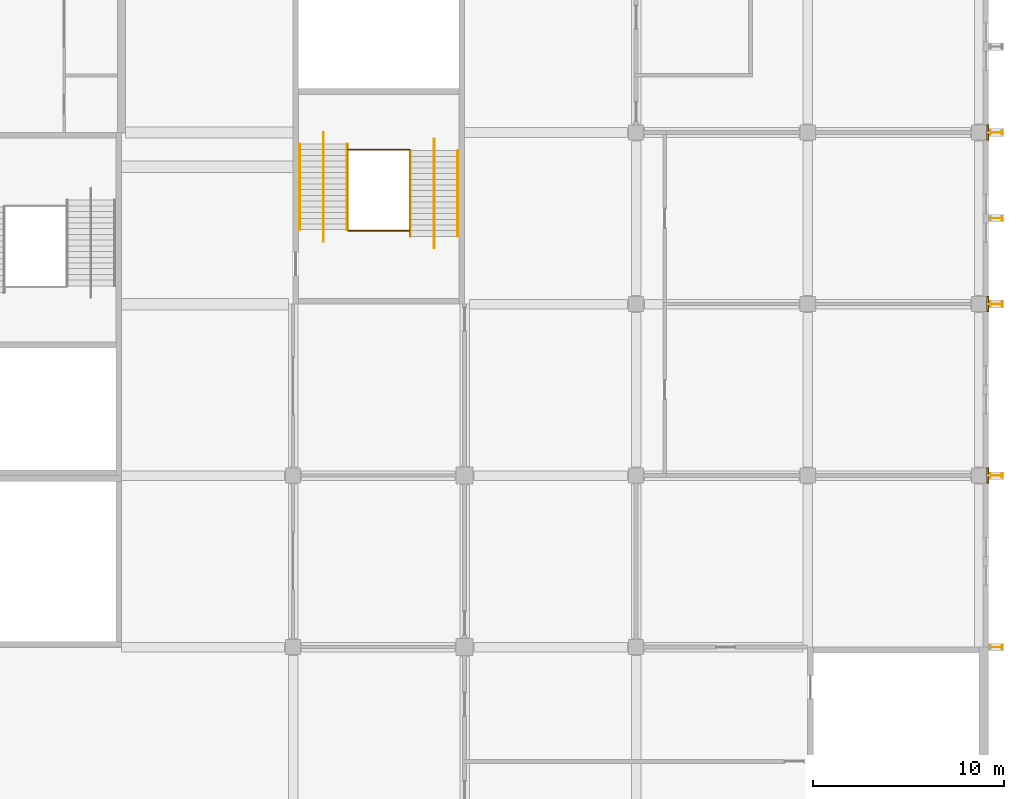
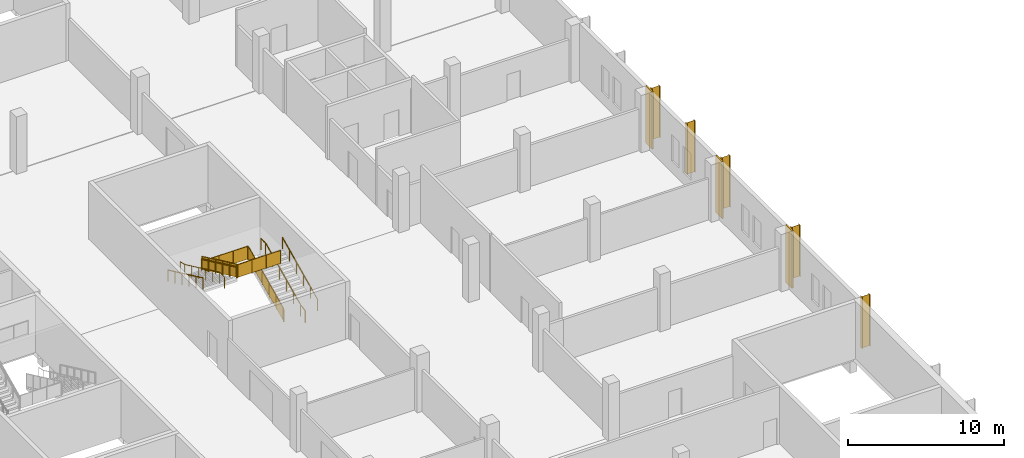
# One storey, part 154 of 168: 10 railings, 5 shading devices, 3 coverings.
"""IFC4 building model written with IfcOpenShell, lengths in metres."""

from ifc_helpers import new_model, si_unit, direction, frame, origin, origin_2d, place, context, subcontext, project, spatial, polyline, circle, i_section, outline, extrude, material, layer, layer_set, material_profile, profile_set, type_object, element, save


model = new_model("IFC4")

# Units and contexts
model_context = context("Model", 3, precision=1e-05, world=origin(), true_north=direction((0.0, 1.0)))
body_context = subcontext(model_context, "Body", "Model", "MODEL_VIEW")
ifc_project = project(units=[si_unit("LENGTHUNIT", "METRE"), si_unit("AREAUNIT", "SQUARE_METRE"), si_unit("VOLUMEUNIT", "CUBIC_METRE"), si_unit("PLANEANGLEUNIT", "RADIAN"), si_unit("MASSUNIT", "GRAM", prefix="KILO")], contexts=[model_context])

# Site, building, storey
site_placement = place(None, origin())
site = spatial("IfcSite", under=ifc_project, at=site_placement, CompositionType="ELEMENT")
building_placement = place(site_placement, origin())
building = spatial("IfcBuilding", under=site, at=building_placement, Name="Silverbay Arena", CompositionType="ELEMENT")
storey_placement = place(building_placement, frame((0.0, 0.0, 7.0)))
storey = spatial("IfcBuildingStorey", under=building, at=storey_placement, Name="L01", CompositionType="ELEMENT", Elevation=7.0)

# Coverings
ifc_material_1 = material(Name="Aluminium composite cladding", Category="aluminium")
ifc_layer = layer(ifc_material_1, 0.10009765625)
ifc_layer_set = layer_set([ifc_layer], Name="Aluminium composite cladding")
covering_type = type_object("IfcCoveringType", Name="Column cladding 100", PredefinedType="CLADDING", material=ifc_layer_set)
covering_1_placement = place(storey_placement, origin())
element("IfcCovering", 1, at=covering_1_placement, inside=storey, type_object=covering_type, Name="East column cladding L01 84", PredefinedType="CLADDING", context=body_context, shape_type="SweptSolid", body=[
    extrude(outline(polyline([(234.39990234375, 44.60009765625), (234.5, 44.60009765625), (234.5, 45.39990234375), (234.39990234375, 45.39990234375), (234.39990234375, 44.60009765625)])), origin(), (0.0, 0.0, 1.0), 4.5),
])
covering_2_placement = place(storey_placement, origin())
element("IfcCovering", 2, at=covering_2_placement, inside=storey, type_object=covering_type, Name="East column cladding L01 85", PredefinedType="CLADDING", context=body_context, shape_type="SweptSolid", body=[
    extrude(outline(polyline([(234.39990234375, 53.60009765625), (234.5, 53.60009765625), (234.5, 54.39990234375), (234.39990234375, 54.39990234375), (234.39990234375, 53.60009765625)])), origin(), (0.0, 0.0, 1.0), 4.5),
])
covering_3_placement = place(storey_placement, origin())
element("IfcCovering", 3, at=covering_3_placement, inside=storey, type_object=covering_type, Name="East column cladding L01 86", PredefinedType="CLADDING", context=body_context, shape_type="SweptSolid", body=[
    extrude(outline(polyline([(234.39990234375, 62.60009765625), (234.5, 62.60009765625), (234.5, 63.39990234375), (234.39990234375, 63.39990234375), (234.39990234375, 62.60009765625)])), origin(), (0.0, 0.0, 1.0), 4.5),
])

# Railings
ifc_material_2 = material(Name="Stainless steel", Category="steel")
railing_type_1 = type_object("IfcRailingType", Name="Stair guard 1100", PredefinedType="GUARDRAIL", material=ifc_material_2)
railing_1_placement = place(storey_placement, frame((204.125, 57.546630859375, 0.140625)))
element("IfcRailing", 4, at=railing_1_placement, inside=storey, type_object=railing_type_1, Name="Stair ST-E1 L01 to L02 flight 1 guard left", PredefinedType="GUARDRAIL", context=body_context, shape_type="SweptSolid", body=[
    extrude(circle(Radius=0.02392578125, at=origin_2d()), frame((0.0, 0.0, 1.076171875), z_axis=(0.0, 0.905458935959, 0.424433876231), x_axis=(-1.0, 0.0, 0.0)), (0.0, 0.0, 1.0), 4.969970703125),
    extrude(outline(polyline([(-0.008056640625, 0.046142578125), (0.907958984375, 0.4755859375), (0.907958984375, 1.478515625), (-0.008056640625, 1.04931640625), (-0.008056640625, 0.046142578125)])), frame((-0.0029296875, 0.0, 0.0), z_axis=(1.0, 0.0, 0.0), x_axis=(0.0, 1.0, 0.0)), (0.0, 0.0, 1.0), 0.006103515625),
    extrude(outline(polyline([(-0.008056640625, 0.468017578125), (0.907958984375, 0.8974609375), (0.907958984375, 1.900390625), (-0.008056640625, 1.47119140625), (-0.008056640625, 0.468017578125)])), frame((-0.0029296875, 0.89990234375, 0.0), z_axis=(1.0, 0.0, 0.0), x_axis=(0.0, 1.0, 0.0)), (0.0, 0.0, 1.0), 0.006103515625),
    extrude(outline(polyline([(-0.008056640625, 0.889892578125), (0.907958984375, 1.3193359375), (0.907958984375, 2.322265625), (-0.008056640625, 1.89306640625), (-0.008056640625, 0.889892578125)])), frame((-0.0029296875, 1.800048828125, 0.0), z_axis=(1.0, 0.0, 0.0), x_axis=(0.0, 1.0, 0.0)), (0.0, 0.0, 1.0), 0.006103515625),
    extrude(outline(polyline([(-0.008056640625, 1.311767578125), (0.907958984375, 1.7412109375), (0.907958984375, 2.744140625), (-0.008056640625, 2.31494140625), (-0.008056640625, 1.311767578125)])), frame((-0.0029296875, 2.699951171875, 0.0), z_axis=(1.0, 0.0, 0.0), x_axis=(0.0, 1.0, 0.0)), (0.0, 0.0, 1.0), 0.006103515625),
    extrude(outline(polyline([(-0.008056640625, 1.733642578125), (0.907958984375, 2.1630859375), (0.907958984375, 3.166015625), (-0.008056640625, 2.73681640625), (-0.008056640625, 1.733642578125)])), frame((-0.0029296875, 3.60009765625, 0.0), z_axis=(1.0, 0.0, 0.0), x_axis=(0.0, 1.0, 0.0)), (0.0, 0.0, 1.0), 0.006103515625),
    extrude(circle(Radius=0.02099609375, at=origin_2d()), origin(), (0.0, 0.0, 1.0), 1.052001953125),
    extrude(circle(Radius=0.02099609375, at=origin_2d()), frame((0.0, 0.89990234375, 0.421875)), (0.0, 0.0, 1.0), 1.052001953125),
    extrude(circle(Radius=0.02099609375, at=origin_2d()), frame((0.0, 1.800048828125, 0.84375)), (0.0, 0.0, 1.0), 1.052001953125),
    extrude(circle(Radius=0.02099609375, at=origin_2d()), frame((0.0, 2.699951171875, 1.265625)), (0.0, 0.0, 1.0), 1.052001953125),
    extrude(circle(Radius=0.02099609375, at=origin_2d()), frame((0.0, 3.60009765625, 1.6875)), (0.0, 0.0, 1.0), 1.052001953125),
    extrude(circle(Radius=0.02099609375, at=origin_2d()), frame((0.0, 4.5, 2.109375)), (0.0, 0.0, 1.0), 1.052001953125),
])
railing_2_placement = place(storey_placement, frame((200.875, 62.39990234375, 2.390625)))
element("IfcRailing", 5, at=railing_2_placement, inside=storey, type_object=railing_type_1, Name="Stair ST-E1 L01 to L02 flight 2 guard right", PredefinedType="GUARDRAIL", context=body_context, shape_type="SweptSolid", body=[
    extrude(circle(Radius=0.02392578125, at=origin_2d()), frame((0.0, 0.0, 1.076171875), z_axis=(0.0, -0.905458935959, 0.424433876231), x_axis=(1.0, 0.0, 0.0)), (0.0, 0.0, 1.0), 4.969970703125),
    extrude(outline(polyline([(-0.008056640625, 0.046142578125), (0.907958984375, 0.4755859375), (0.907958984375, 1.478515625), (-0.008056640625, 1.04931640625), (-0.008056640625, 0.046142578125)])), frame((0.0029296875, 0.0, 0.0), z_axis=(-1.0, 0.0, 0.0), x_axis=(0.0, -1.0, 0.0)), (0.0, 0.0, 1.0), 0.006103515625),
    extrude(outline(polyline([(-0.008056640625, 0.468017578125), (0.907958984375, 0.8974609375), (0.907958984375, 1.900390625), (-0.008056640625, 1.47119140625), (-0.008056640625, 0.468017578125)])), frame((0.0029296875, -0.89990234375, 0.0), z_axis=(-1.0, 0.0, 0.0), x_axis=(0.0, -1.0, 0.0)), (0.0, 0.0, 1.0), 0.006103515625),
    extrude(outline(polyline([(-0.008056640625, 0.889892578125), (0.907958984375, 1.3193359375), (0.907958984375, 2.322265625), (-0.008056640625, 1.89306640625), (-0.008056640625, 0.889892578125)])), frame((0.0029296875, -1.800048828125, 0.0), z_axis=(-1.0, 0.0, 0.0), x_axis=(0.0, -1.0, 0.0)), (0.0, 0.0, 1.0), 0.006103515625),
    extrude(outline(polyline([(-0.008056640625, 1.311767578125), (0.907958984375, 1.7412109375), (0.907958984375, 2.744140625), (-0.008056640625, 2.31494140625), (-0.008056640625, 1.311767578125)])), frame((0.0029296875, -2.699951171875, 0.0), z_axis=(-1.0, 0.0, 0.0), x_axis=(0.0, -1.0, 0.0)), (0.0, 0.0, 1.0), 0.006103515625),
    extrude(outline(polyline([(-0.008056640625, 1.733642578125), (0.907958984375, 2.1630859375), (0.907958984375, 3.166015625), (-0.008056640625, 2.73681640625), (-0.008056640625, 1.733642578125)])), frame((0.0029296875, -3.60009765625, 0.0), z_axis=(-1.0, 0.0, 0.0), x_axis=(0.0, -1.0, 0.0)), (0.0, 0.0, 1.0), 0.006103515625),
    extrude(circle(Radius=0.02099609375, at=origin_2d()), origin(), (0.0, 0.0, 1.0), 1.052001953125),
    extrude(circle(Radius=0.02099609375, at=origin_2d()), frame((0.0, -0.89990234375, 0.421875)), (0.0, 0.0, 1.0), 1.052001953125),
    extrude(circle(Radius=0.02099609375, at=origin_2d()), frame((0.0, -1.800048828125, 0.84375)), (0.0, 0.0, 1.0), 1.052001953125),
    extrude(circle(Radius=0.02099609375, at=origin_2d()), frame((0.0, -2.699951171875, 1.265625)), (0.0, 0.0, 1.0), 1.052001953125),
    extrude(circle(Radius=0.02099609375, at=origin_2d()), frame((0.0, -3.60009765625, 1.6875)), (0.0, 0.0, 1.0), 1.052001953125),
    extrude(circle(Radius=0.02099609375, at=origin_2d()), frame((0.0, -4.5, 2.109375)), (0.0, 0.0, 1.0), 1.052001953125),
])
for number, where, name in (
    (6, (200.89990234375, 62.0966796875, 2.25), "Stair ST-E1 L01 to L02 landing 1 guard"),
    (7, (200.89990234375, 57.85009765625, 4.5), "Stair ST-E1 L01 to L02 landing 2 guard"),
):
    element("IfcRailing", number, at=place(storey_placement, frame(where)), inside=storey, type_object=railing_type_1, Name=name, PredefinedType="GUARDRAIL", context=body_context, shape_type="SweptSolid", body=[
        extrude(circle(Radius=0.02392578125, at=origin_2d()), frame((0.0, 0.0, 1.076171875), z_axis=(1.0, 0.0, 0.0), x_axis=(0.0, 1.0, 0.0)), (0.0, 0.0, 1.0), 3.2001953125),
        extrude(outline(polyline([(-0.008056640625, 0.050048828125), (1.07470703125, 0.050048828125), (1.07470703125, 1.052978515625), (-0.008056640625, 1.052978515625), (-0.008056640625, 0.050048828125)])), frame((0.0, 0.0029296875, 0.0), z_axis=(0.0, -1.0, 0.0), x_axis=(1.0, 0.0, 0.0)), (0.0, 0.0, 1.0), 0.006103515625),
        extrude(outline(polyline([(-0.008056640625, 0.050048828125), (1.07470703125, 0.050048828125), (1.07470703125, 1.052978515625), (-0.008056640625, 1.052978515625), (-0.008056640625, 0.050048828125)])), frame((1.066650390625, 0.0029296875, 0.0), z_axis=(0.0, -1.0, 0.0), x_axis=(1.0, 0.0, 0.0)), (0.0, 0.0, 1.0), 0.006103515625),
        extrude(outline(polyline([(-0.008056640625, 0.050048828125), (1.07470703125, 0.050048828125), (1.07470703125, 1.052978515625), (-0.008056640625, 1.052978515625), (-0.008056640625, 0.050048828125)])), frame((2.133544921875, 0.0029296875, 0.0), z_axis=(0.0, -1.0, 0.0), x_axis=(1.0, 0.0, 0.0)), (0.0, 0.0, 1.0), 0.006103515625),
        extrude(circle(Radius=0.02099609375, at=origin_2d()), origin(), (0.0, 0.0, 1.0), 1.052001953125),
        extrude(circle(Radius=0.02099609375, at=origin_2d()), frame((1.066650390625, 0.0, 0.0)), (0.0, 0.0, 1.0), 1.052001953125),
        extrude(circle(Radius=0.02099609375, at=origin_2d()), frame((2.133544921875, 0.0, 0.0)), (0.0, 0.0, 1.0), 1.052001953125),
        extrude(circle(Radius=0.02099609375, at=origin_2d()), frame((3.2001953125, 0.0, 0.0)), (0.0, 0.0, 1.0), 1.052001953125),
    ])
ifc_material_3 = material(Name="Stainless steel", Category="steel")
railing_type_2 = type_object("IfcRailingType", Name="Stair handrail 900", PredefinedType="HANDRAIL", material=ifc_material_3)
for number, where, name in (
    (8, (204.1640625, 57.546630859375, 0.140625), "Stair ST-E1 L01 to L02 flight 1 handrail left"),
    (9, (206.64990234375, 57.546630859375, 0.140625), "Stair ST-E1 L01 to L02 flight 1 handrail right"),
):
    element("IfcRailing", number, at=place(storey_placement, frame(where)), inside=storey, type_object=railing_type_2, Name=name, PredefinedType="HANDRAIL", context=body_context, shape_type="SweptSolid", body=[
        extrude(circle(Radius=0.02392578125, at=origin_2d()), frame((0.0, 0.0, 0.8759765625), z_axis=(0.0, 0.905458935959, 0.424433876231), x_axis=(-1.0, 0.0, 0.0)), (0.0, 0.0, 1.0), 4.969970703125),
        extrude(circle(Radius=0.02099609375, at=origin_2d()), origin(), (0.0, 0.0, 1.0), 0.851806640625),
        extrude(circle(Radius=0.02099609375, at=origin_2d()), frame((0.0, 0.89990234375, 0.421875)), (0.0, 0.0, 1.0), 0.851806640625),
        extrude(circle(Radius=0.02099609375, at=origin_2d()), frame((0.0, 1.800048828125, 0.84375)), (0.0, 0.0, 1.0), 0.851806640625),
        extrude(circle(Radius=0.02099609375, at=origin_2d()), frame((0.0, 2.699951171875, 1.265625)), (0.0, 0.0, 1.0), 0.851806640625),
        extrude(circle(Radius=0.02099609375, at=origin_2d()), frame((0.0, 3.60009765625, 1.6875)), (0.0, 0.0, 1.0), 0.851806640625),
        extrude(circle(Radius=0.02099609375, at=origin_2d()), frame((0.0, 4.5, 2.109375)), (0.0, 0.0, 1.0), 0.851806640625),
    ])
railing_3_placement = place(storey_placement, frame((205.39990234375, 56.946533203125, 0.0)))
element("IfcRailing", 10, at=railing_3_placement, inside=storey, type_object=railing_type_2, Name="Stair ST-E1 L01 to L02 flight 1 central handrail", PredefinedType="HANDRAIL", context=body_context, shape_type="SweptSolid", body=[
    extrude(circle(Radius=0.02392578125, at=origin_2d()), frame((0.0, 0.0, 0.8759765625), z_axis=(0.0, 0.973624560196, 0.228156121511), x_axis=(-1.0, 0.0, 0.0)), (0.0, 0.0, 1.0), 0.616455078125),
    extrude(circle(Radius=0.02392578125, at=origin_2d()), frame((0.0, 0.60009765625, 1.0166015625), z_axis=(0.0, 0.905458935959, 0.424433876231), x_axis=(-1.0, 0.0, 0.0)), (0.0, 0.0, 1.0), 4.969970703125),
    extrude(circle(Radius=0.02392578125, at=origin_2d()), frame((0.0, 5.10009765625, 3.1259765625), z_axis=(0.0, 1.0, 0.0), x_axis=(-1.0, 0.0, 0.0)), (0.0, 0.0, 1.0), 0.599853515625),
    extrude(circle(Radius=0.02099609375, at=origin_2d()), origin(), (0.0, 0.0, 1.0), 0.851806640625),
    extrude(circle(Radius=0.02099609375, at=origin_2d()), frame((0.0, 0.60009765625, 0.140625)), (0.0, 0.0, 1.0), 0.851806640625),
    extrude(circle(Radius=0.02099609375, at=origin_2d()), frame((0.0, 1.5, 0.5625)), (0.0, 0.0, 1.0), 0.851806640625),
    extrude(circle(Radius=0.02099609375, at=origin_2d()), frame((0.0, 2.400146484375, 0.984375)), (0.0, 0.0, 1.0), 0.851806640625),
    extrude(circle(Radius=0.02099609375, at=origin_2d()), frame((0.0, 3.300048828125, 1.40625)), (0.0, 0.0, 1.0), 0.851806640625),
    extrude(circle(Radius=0.02099609375, at=origin_2d()), frame((0.0, 4.2001953125, 1.828125)), (0.0, 0.0, 1.0), 0.851806640625),
    extrude(circle(Radius=0.02099609375, at=origin_2d()), frame((0.0, 5.10009765625, 2.25)), (0.0, 0.0, 1.0), 0.851806640625),
    extrude(circle(Radius=0.02099609375, at=origin_2d()), frame((0.0, 5.699951171875, 2.25)), (0.0, 0.0, 1.0), 0.851806640625),
])
for number, where, name in (
    (11, (198.35009765625, 62.39990234375, 2.390625), "Stair ST-E1 L01 to L02 flight 2 handrail left"),
    (12, (200.8359375, 62.39990234375, 2.390625), "Stair ST-E1 L01 to L02 flight 2 handrail right"),
):
    element("IfcRailing", number, at=place(storey_placement, frame(where)), inside=storey, type_object=railing_type_2, Name=name, PredefinedType="HANDRAIL", context=body_context, shape_type="SweptSolid", body=[
        extrude(circle(Radius=0.02392578125, at=origin_2d()), frame((0.0, 0.0, 0.8759765625), z_axis=(0.0, -0.905458935959, 0.424433876231), x_axis=(1.0, 0.0, 0.0)), (0.0, 0.0, 1.0), 4.969970703125),
        extrude(circle(Radius=0.02099609375, at=origin_2d()), origin(), (0.0, 0.0, 1.0), 0.851806640625),
        extrude(circle(Radius=0.02099609375, at=origin_2d()), frame((0.0, -0.89990234375, 0.421875)), (0.0, 0.0, 1.0), 0.851806640625),
        extrude(circle(Radius=0.02099609375, at=origin_2d()), frame((0.0, -1.800048828125, 0.84375)), (0.0, 0.0, 1.0), 0.851806640625),
        extrude(circle(Radius=0.02099609375, at=origin_2d()), frame((0.0, -2.699951171875, 1.265625)), (0.0, 0.0, 1.0), 0.851806640625),
        extrude(circle(Radius=0.02099609375, at=origin_2d()), frame((0.0, -3.60009765625, 1.6875)), (0.0, 0.0, 1.0), 0.851806640625),
        extrude(circle(Radius=0.02099609375, at=origin_2d()), frame((0.0, -4.5, 2.109375)), (0.0, 0.0, 1.0), 0.851806640625),
    ])
railing_4_placement = place(storey_placement, frame((199.60009765625, 63.0, 2.25)))
element("IfcRailing", 13, at=railing_4_placement, inside=storey, type_object=railing_type_2, Name="Stair ST-E1 L01 to L02 flight 2 central handrail", PredefinedType="HANDRAIL", context=body_context, shape_type="SweptSolid", body=[
    extrude(circle(Radius=0.02392578125, at=origin_2d()), frame((0.0, 0.0, 0.8759765625), z_axis=(0.0, -0.973624560196, 0.228156121511), x_axis=(1.0, 0.0, 0.0)), (0.0, 0.0, 1.0), 0.616455078125),
    extrude(circle(Radius=0.02392578125, at=origin_2d()), frame((0.0, -0.60009765625, 1.0166015625), z_axis=(0.0, -0.905458935959, 0.424433876231), x_axis=(1.0, 0.0, 0.0)), (0.0, 0.0, 1.0), 4.969970703125),
    extrude(circle(Radius=0.02392578125, at=origin_2d()), frame((0.0, -5.10009765625, 3.1259765625), z_axis=(0.0, -1.0, 0.0), x_axis=(1.0, 0.0, 0.0)), (0.0, 0.0, 1.0), 0.599853515625),
    extrude(circle(Radius=0.02099609375, at=origin_2d()), origin(), (0.0, 0.0, 1.0), 0.851806640625),
    extrude(circle(Radius=0.02099609375, at=origin_2d()), frame((0.0, -0.60009765625, 0.140625)), (0.0, 0.0, 1.0), 0.851806640625),
    extrude(circle(Radius=0.02099609375, at=origin_2d()), frame((0.0, -1.5, 0.5625)), (0.0, 0.0, 1.0), 0.851806640625),
    extrude(circle(Radius=0.02099609375, at=origin_2d()), frame((0.0, -2.400146484375, 0.984375)), (0.0, 0.0, 1.0), 0.851806640625),
    extrude(circle(Radius=0.02099609375, at=origin_2d()), frame((0.0, -3.300048828125, 1.40625)), (0.0, 0.0, 1.0), 0.851806640625),
    extrude(circle(Radius=0.02099609375, at=origin_2d()), frame((0.0, -4.2001953125, 1.828125)), (0.0, 0.0, 1.0), 0.851806640625),
    extrude(circle(Radius=0.02099609375, at=origin_2d()), frame((0.0, -5.10009765625, 2.25)), (0.0, 0.0, 1.0), 0.851806640625),
    extrude(circle(Radius=0.02099609375, at=origin_2d()), frame((0.0, -5.699951171875, 2.25)), (0.0, 0.0, 1.0), 0.851806640625),
])

# Shading devices
ifc_material_4 = material(Name="Steel S355", Category="steel")
ifc_material_profile = material_profile(ifc_material_4, i_section(OverallWidth=0.2275390625, OverallDepth=0.6025390625, WebThickness=0.010498046875, FlangeThickness=0.014892578125, at=origin_2d()), Name="UB 610x229x101")
ifc_profile_set = profile_set([ifc_material_profile], Name="Steel S355")
shading_device_type = type_object("IfcShadingDeviceType", Name="Steel fin UB 610x229x101", PredefinedType="USERDEFINED", material=ifc_profile_set)
for number, where, z_axis, x_axis, name in (
    (14, (234.9013671875, 36.0, 0.449951171875), (0.0, 0.0, 1.0), (0.0, 1.0, 0.0), "Steel fin E L01 4"),
    (15, (234.9013671875, 45.0, 0.449951171875), (0.0, 0.0, 1.0), (0.0, 1.0, 0.0), "Steel fin E L01 6"),
    (16, (234.9013671875, 54.0, 0.449951171875), (0.0, 0.0, 1.0), (0.0, 1.0, 0.0), "Steel fin E L01 8"),
    (17, (234.9013671875, 58.5, 0.449951171875), (0.0, 0.0, 1.0), (0.0, 1.0, 0.0), "Steel fin E L01 9"),
    (18, (234.9013671875, 63.0, 0.449951171875), (0.0, 0.0, 1.0), (0.0, 1.0, 0.0), "Steel fin E L01 10"),
):
    element("IfcShadingDevice", number, at=place(storey_placement, frame(where, z_axis=z_axis, x_axis=x_axis)), inside=storey, type_object=shading_device_type, Name=name, ObjectType="FIN", PredefinedType="USERDEFINED", context=body_context, shape_type="SweptSolid", body=[
        extrude(i_section(OverallWidth=0.2275390625, OverallDepth=0.6025390625, WebThickness=0.010498046875, FlangeThickness=0.014892578125, at=origin_2d()), origin(), (0.0, 0.0, 1.0), 4.050048828125),
    ])

save(model, "model.ifc")
